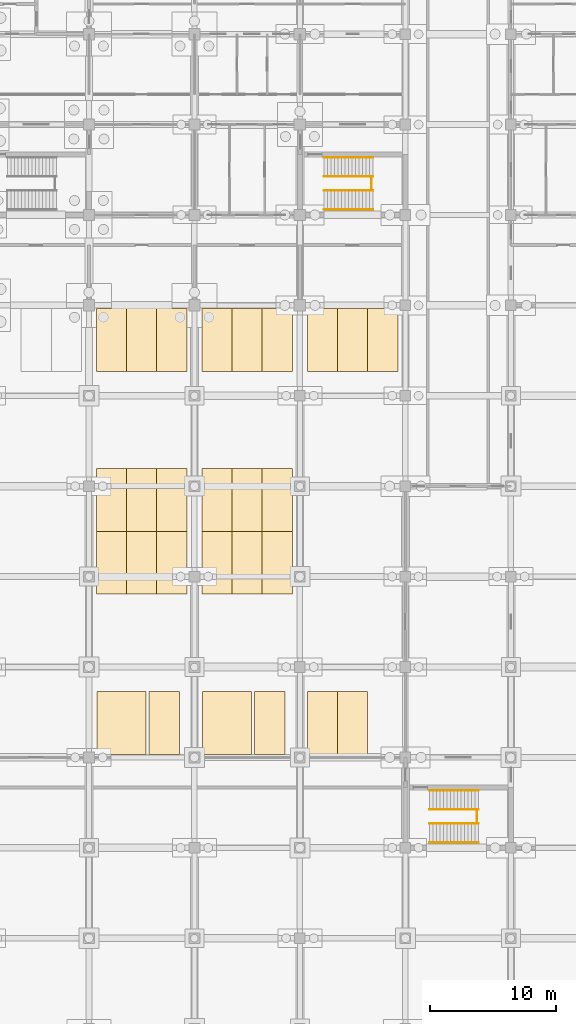
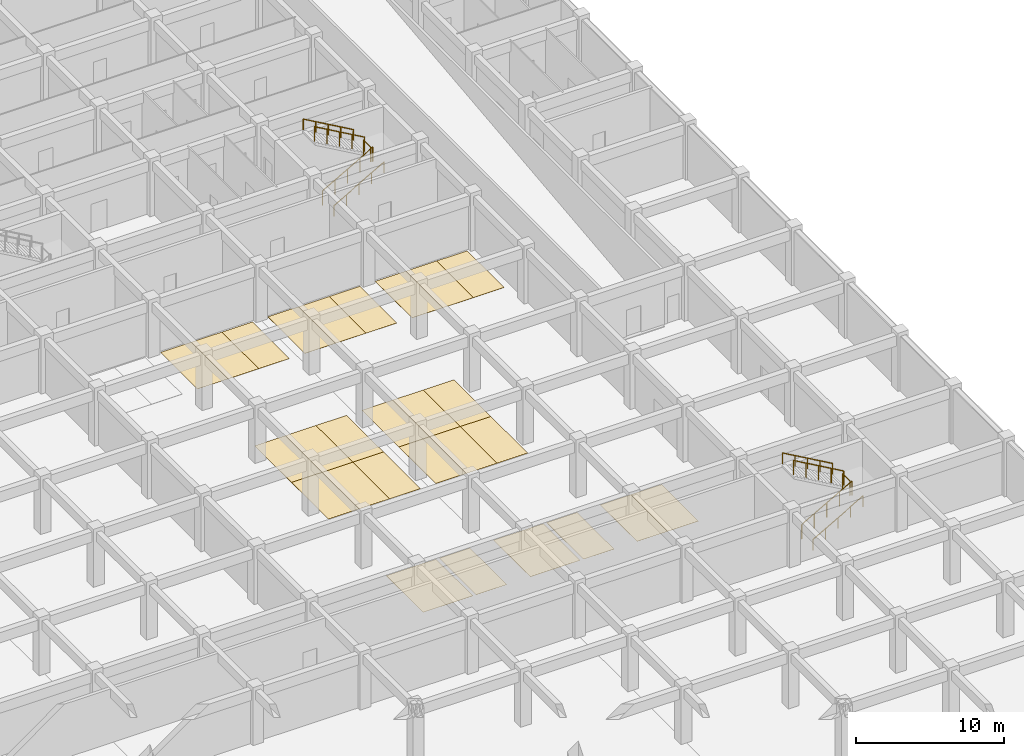
# One storey, part 84 of 85: 27 coverings, 10 railings.
"""IFC4 building model written with IfcOpenShell, lengths in metres."""

from ifc_helpers import new_model, si_unit, direction, frame, origin, origin_2d, place, context, subcontext, project, spatial, polyline, circle, outline, extrude, material, layer, layer_set, type_object, element, save


model = new_model("IFC4")

# Units and contexts
model_context = context("Model", 3, precision=1e-05, world=origin(), true_north=direction((0.0, 1.0)))
body_context = subcontext(model_context, "Body", "Model", "MODEL_VIEW")
ifc_project = project(units=[si_unit("LENGTHUNIT", "METRE"), si_unit("AREAUNIT", "SQUARE_METRE"), si_unit("VOLUMEUNIT", "CUBIC_METRE"), si_unit("PLANEANGLEUNIT", "RADIAN"), si_unit("MASSUNIT", "GRAM", prefix="KILO")], contexts=[model_context])

# Site, building, storey
site_placement = place(None, origin())
site = spatial("IfcSite", under=ifc_project, at=site_placement, CompositionType="ELEMENT")
building_placement = place(site_placement, origin())
building = spatial("IfcBuilding", under=site, at=building_placement, Name="Chengyuan Square Courthouse", CompositionType="ELEMENT")
storey_placement = place(building_placement, frame((0.0, 0.0, -10.199951171875)))
storey = spatial("IfcBuildingStorey", under=building, at=storey_placement, Name="B02", CompositionType="ELEMENT", Elevation=-10.199951171875)

# Coverings
ifc_material_1 = material(Name="Thermoplastic Parking Bay Marking Paint")
ifc_layer_1 = layer(ifc_material_1, 0.010009765625)
ifc_layer_set_1 = layer_set([ifc_layer_1], Name="Thermoplastic Parking Bay Marking Paint")
covering_type_1 = type_object("IfcCoveringType", Name="PKB-01", PredefinedType="FLOORING", material=ifc_layer_set_1)
covering_1_placement = place(storey_placement, origin())
element("IfcCovering", 1, at=covering_1_placement, inside=storey, type_object=covering_type_1, Name="Parking Bay Marking B02-P236", PredefinedType="FLOORING", context=body_context, shape_type="SweptSolid", body=[
    extrude(outline(polyline([(130.800048828125, 43.449951171875), (133.199951171875, 43.449951171875), (133.199951171875, 48.449951171875), (130.800048828125, 48.449951171875), (130.800048828125, 43.449951171875)])), origin(), (0.0, 0.0, 1.0), 0.010009765625),
])
covering_2_placement = place(storey_placement, origin())
element("IfcCovering", 2, at=covering_2_placement, inside=storey, type_object=covering_type_1, Name="Parking Bay Marking B02-P237", PredefinedType="FLOORING", context=body_context, shape_type="SweptSolid", body=[
    extrude(outline(polyline([(139.199951171875, 43.449951171875), (141.60009765625, 43.449951171875), (141.60009765625, 48.449951171875), (139.199951171875, 48.449951171875), (139.199951171875, 43.449951171875)])), origin(), (0.0, 0.0, 1.0), 0.010009765625),
])
covering_3_placement = place(storey_placement, origin())
element("IfcCovering", 3, at=covering_3_placement, inside=storey, type_object=covering_type_1, Name="Parking Bay Marking B02-P238", PredefinedType="FLOORING", context=body_context, shape_type="SweptSolid", body=[
    extrude(outline(polyline([(143.39990234375, 43.449951171875), (145.800048828125, 43.449951171875), (145.800048828125, 48.449951171875), (143.39990234375, 48.449951171875), (143.39990234375, 43.449951171875)])), origin(), (0.0, 0.0, 1.0), 0.010009765625),
])
covering_4_placement = place(storey_placement, origin())
element("IfcCovering", 4, at=covering_4_placement, inside=storey, type_object=covering_type_1, Name="Parking Bay Marking B02-P239", PredefinedType="FLOORING", context=body_context, shape_type="SweptSolid", body=[
    extrude(outline(polyline([(145.800048828125, 43.449951171875), (148.199951171875, 43.449951171875), (148.199951171875, 48.449951171875), (145.800048828125, 48.449951171875), (145.800048828125, 43.449951171875)])), origin(), (0.0, 0.0, 1.0), 0.010009765625),
])
covering_5_placement = place(storey_placement, origin())
element("IfcCovering", 5, at=covering_5_placement, inside=storey, type_object=covering_type_1, Name="Parking Bay Marking B02-P242", PredefinedType="FLOORING", context=body_context, shape_type="SweptSolid", body=[
    extrude(outline(polyline([(126.60009765625, 73.949951171875), (129.0, 73.949951171875), (129.0, 78.949951171875), (126.60009765625, 78.949951171875), (126.60009765625, 73.949951171875)])), origin(), (0.0, 0.0, 1.0), 0.010009765625),
])
covering_6_placement = place(storey_placement, origin())
element("IfcCovering", 6, at=covering_6_placement, inside=storey, type_object=covering_type_1, Name="Parking Bay Marking B02-P243", PredefinedType="FLOORING", context=body_context, shape_type="SweptSolid", body=[
    extrude(outline(polyline([(129.0, 73.949951171875), (131.39990234375, 73.949951171875), (131.39990234375, 78.949951171875), (129.0, 78.949951171875), (129.0, 73.949951171875)])), origin(), (0.0, 0.0, 1.0), 0.010009765625),
])
covering_7_placement = place(storey_placement, origin())
element("IfcCovering", 7, at=covering_7_placement, inside=storey, type_object=covering_type_1, Name="Parking Bay Marking B02-P244", PredefinedType="FLOORING", context=body_context, shape_type="SweptSolid", body=[
    extrude(outline(polyline([(131.39990234375, 73.949951171875), (133.800048828125, 73.949951171875), (133.800048828125, 78.949951171875), (131.39990234375, 78.949951171875), (131.39990234375, 73.949951171875)])), origin(), (0.0, 0.0, 1.0), 0.010009765625),
])
covering_8_placement = place(storey_placement, origin())
element("IfcCovering", 8, at=covering_8_placement, inside=storey, type_object=covering_type_1, Name="Parking Bay Marking B02-P245", PredefinedType="FLOORING", context=body_context, shape_type="SweptSolid", body=[
    extrude(outline(polyline([(135.0, 73.949951171875), (137.39990234375, 73.949951171875), (137.39990234375, 78.949951171875), (135.0, 78.949951171875), (135.0, 73.949951171875)])), origin(), (0.0, 0.0, 1.0), 0.010009765625),
])
covering_9_placement = place(storey_placement, origin())
element("IfcCovering", 9, at=covering_9_placement, inside=storey, type_object=covering_type_1, Name="Parking Bay Marking B02-P246", PredefinedType="FLOORING", context=body_context, shape_type="SweptSolid", body=[
    extrude(outline(polyline([(137.39990234375, 73.949951171875), (139.800048828125, 73.949951171875), (139.800048828125, 78.949951171875), (137.39990234375, 78.949951171875), (137.39990234375, 73.949951171875)])), origin(), (0.0, 0.0, 1.0), 0.010009765625),
])
covering_10_placement = place(storey_placement, origin())
element("IfcCovering", 10, at=covering_10_placement, inside=storey, type_object=covering_type_1, Name="Parking Bay Marking B02-P247", PredefinedType="FLOORING", context=body_context, shape_type="SweptSolid", body=[
    extrude(outline(polyline([(139.800048828125, 73.949951171875), (142.199951171875, 73.949951171875), (142.199951171875, 78.949951171875), (139.800048828125, 78.949951171875), (139.800048828125, 73.949951171875)])), origin(), (0.0, 0.0, 1.0), 0.010009765625),
])
covering_11_placement = place(storey_placement, origin())
element("IfcCovering", 11, at=covering_11_placement, inside=storey, type_object=covering_type_1, Name="Parking Bay Marking B02-P248", PredefinedType="FLOORING", context=body_context, shape_type="SweptSolid", body=[
    extrude(outline(polyline([(143.39990234375, 73.949951171875), (145.800048828125, 73.949951171875), (145.800048828125, 78.949951171875), (143.39990234375, 78.949951171875), (143.39990234375, 73.949951171875)])), origin(), (0.0, 0.0, 1.0), 0.010009765625),
])
covering_12_placement = place(storey_placement, origin())
element("IfcCovering", 12, at=covering_12_placement, inside=storey, type_object=covering_type_1, Name="Parking Bay Marking B02-P249", PredefinedType="FLOORING", context=body_context, shape_type="SweptSolid", body=[
    extrude(outline(polyline([(145.800048828125, 73.949951171875), (148.199951171875, 73.949951171875), (148.199951171875, 78.949951171875), (145.800048828125, 78.949951171875), (145.800048828125, 73.949951171875)])), origin(), (0.0, 0.0, 1.0), 0.010009765625),
])
covering_13_placement = place(storey_placement, origin())
element("IfcCovering", 13, at=covering_13_placement, inside=storey, type_object=covering_type_1, Name="Parking Bay Marking B02-P250", PredefinedType="FLOORING", context=body_context, shape_type="SweptSolid", body=[
    extrude(outline(polyline([(148.199951171875, 73.949951171875), (150.60009765625, 73.949951171875), (150.60009765625, 78.949951171875), (148.199951171875, 78.949951171875), (148.199951171875, 73.949951171875)])), origin(), (0.0, 0.0, 1.0), 0.010009765625),
])
covering_14_placement = place(storey_placement, origin())
element("IfcCovering", 14, at=covering_14_placement, inside=storey, type_object=covering_type_1, Name="Parking Bay Marking B02-P251", PredefinedType="FLOORING", context=body_context, shape_type="SweptSolid", body=[
    extrude(outline(polyline([(126.60009765625, 56.199951171875), (129.0, 56.199951171875), (129.0, 61.199951171875), (126.60009765625, 61.199951171875), (126.60009765625, 56.199951171875)])), origin(), (0.0, 0.0, 1.0), 0.010009765625),
])
covering_15_placement = place(storey_placement, origin())
element("IfcCovering", 15, at=covering_15_placement, inside=storey, type_object=covering_type_1, Name="Parking Bay Marking B02-P252", PredefinedType="FLOORING", context=body_context, shape_type="SweptSolid", body=[
    extrude(outline(polyline([(129.0, 56.199951171875), (131.39990234375, 56.199951171875), (131.39990234375, 61.199951171875), (129.0, 61.199951171875), (129.0, 56.199951171875)])), origin(), (0.0, 0.0, 1.0), 0.010009765625),
])
covering_16_placement = place(storey_placement, origin())
element("IfcCovering", 16, at=covering_16_placement, inside=storey, type_object=covering_type_1, Name="Parking Bay Marking B02-P253", PredefinedType="FLOORING", context=body_context, shape_type="SweptSolid", body=[
    extrude(outline(polyline([(131.39990234375, 56.199951171875), (133.800048828125, 56.199951171875), (133.800048828125, 61.199951171875), (131.39990234375, 61.199951171875), (131.39990234375, 56.199951171875)])), origin(), (0.0, 0.0, 1.0), 0.010009765625),
])
covering_17_placement = place(storey_placement, origin())
element("IfcCovering", 17, at=covering_17_placement, inside=storey, type_object=covering_type_1, Name="Parking Bay Marking B02-P254", PredefinedType="FLOORING", context=body_context, shape_type="SweptSolid", body=[
    extrude(outline(polyline([(135.0, 56.199951171875), (137.39990234375, 56.199951171875), (137.39990234375, 61.199951171875), (135.0, 61.199951171875), (135.0, 56.199951171875)])), origin(), (0.0, 0.0, 1.0), 0.010009765625),
])
covering_18_placement = place(storey_placement, origin())
element("IfcCovering", 18, at=covering_18_placement, inside=storey, type_object=covering_type_1, Name="Parking Bay Marking B02-P255", PredefinedType="FLOORING", context=body_context, shape_type="SweptSolid", body=[
    extrude(outline(polyline([(137.39990234375, 56.199951171875), (139.800048828125, 56.199951171875), (139.800048828125, 61.199951171875), (137.39990234375, 61.199951171875), (137.39990234375, 56.199951171875)])), origin(), (0.0, 0.0, 1.0), 0.010009765625),
])
covering_19_placement = place(storey_placement, origin())
element("IfcCovering", 19, at=covering_19_placement, inside=storey, type_object=covering_type_1, Name="Parking Bay Marking B02-P256", PredefinedType="FLOORING", context=body_context, shape_type="SweptSolid", body=[
    extrude(outline(polyline([(139.800048828125, 56.199951171875), (142.199951171875, 56.199951171875), (142.199951171875, 61.199951171875), (139.800048828125, 61.199951171875), (139.800048828125, 56.199951171875)])), origin(), (0.0, 0.0, 1.0), 0.010009765625),
])
covering_20_placement = place(storey_placement, origin())
element("IfcCovering", 20, at=covering_20_placement, inside=storey, type_object=covering_type_1, Name="Parking Bay Marking B02-P257", PredefinedType="FLOORING", context=body_context, shape_type="SweptSolid", body=[
    extrude(outline(polyline([(126.60009765625, 61.199951171875), (129.0, 61.199951171875), (129.0, 66.199951171875), (126.60009765625, 66.199951171875), (126.60009765625, 61.199951171875)])), origin(), (0.0, 0.0, 1.0), 0.010009765625),
])
covering_21_placement = place(storey_placement, origin())
element("IfcCovering", 21, at=covering_21_placement, inside=storey, type_object=covering_type_1, Name="Parking Bay Marking B02-P258", PredefinedType="FLOORING", context=body_context, shape_type="SweptSolid", body=[
    extrude(outline(polyline([(129.0, 61.199951171875), (131.39990234375, 61.199951171875), (131.39990234375, 66.199951171875), (129.0, 66.199951171875), (129.0, 61.199951171875)])), origin(), (0.0, 0.0, 1.0), 0.010009765625),
])
covering_22_placement = place(storey_placement, origin())
element("IfcCovering", 22, at=covering_22_placement, inside=storey, type_object=covering_type_1, Name="Parking Bay Marking B02-P259", PredefinedType="FLOORING", context=body_context, shape_type="SweptSolid", body=[
    extrude(outline(polyline([(131.39990234375, 61.199951171875), (133.800048828125, 61.199951171875), (133.800048828125, 66.199951171875), (131.39990234375, 66.199951171875), (131.39990234375, 61.199951171875)])), origin(), (0.0, 0.0, 1.0), 0.010009765625),
])
covering_23_placement = place(storey_placement, origin())
element("IfcCovering", 23, at=covering_23_placement, inside=storey, type_object=covering_type_1, Name="Parking Bay Marking B02-P260", PredefinedType="FLOORING", context=body_context, shape_type="SweptSolid", body=[
    extrude(outline(polyline([(135.0, 61.199951171875), (137.39990234375, 61.199951171875), (137.39990234375, 66.199951171875), (135.0, 66.199951171875), (135.0, 61.199951171875)])), origin(), (0.0, 0.0, 1.0), 0.010009765625),
])
covering_24_placement = place(storey_placement, origin())
element("IfcCovering", 24, at=covering_24_placement, inside=storey, type_object=covering_type_1, Name="Parking Bay Marking B02-P261", PredefinedType="FLOORING", context=body_context, shape_type="SweptSolid", body=[
    extrude(outline(polyline([(137.39990234375, 61.199951171875), (139.800048828125, 61.199951171875), (139.800048828125, 66.199951171875), (137.39990234375, 66.199951171875), (137.39990234375, 61.199951171875)])), origin(), (0.0, 0.0, 1.0), 0.010009765625),
])
covering_25_placement = place(storey_placement, origin())
element("IfcCovering", 25, at=covering_25_placement, inside=storey, type_object=covering_type_1, Name="Parking Bay Marking B02-P262", PredefinedType="FLOORING", context=body_context, shape_type="SweptSolid", body=[
    extrude(outline(polyline([(139.800048828125, 61.199951171875), (142.199951171875, 61.199951171875), (142.199951171875, 66.199951171875), (139.800048828125, 66.199951171875), (139.800048828125, 61.199951171875)])), origin(), (0.0, 0.0, 1.0), 0.010009765625),
])
ifc_material_2 = material(Name="Thermoplastic Accessible Parking Bay Marking Paint")
ifc_layer_2 = layer(ifc_material_2, 0.010009765625)
ifc_layer_set_2 = layer_set([ifc_layer_2], Name="Thermoplastic Accessible Parking Bay Marking Paint")
covering_type_2 = type_object("IfcCoveringType", Name="PKB-02", PredefinedType="FLOORING", material=ifc_layer_set_2)
covering_26_placement = place(storey_placement, origin())
element("IfcCovering", 26, at=covering_26_placement, inside=storey, type_object=covering_type_2, Name="Accessible Parking Bay Marking B02-AP15", PredefinedType="FLOORING", context=body_context, shape_type="SweptSolid", body=[
    extrude(outline(polyline([(126.64990234375, 43.449951171875), (130.550048828125, 43.449951171875), (130.550048828125, 48.449951171875), (126.64990234375, 48.449951171875), (126.64990234375, 43.449951171875)])), origin(), (0.0, 0.0, 1.0), 0.010009765625),
])
covering_27_placement = place(storey_placement, origin())
element("IfcCovering", 27, at=covering_27_placement, inside=storey, type_object=covering_type_2, Name="Accessible Parking Bay Marking B02-AP16", PredefinedType="FLOORING", context=body_context, shape_type="SweptSolid", body=[
    extrude(outline(polyline([(135.050048828125, 43.449951171875), (138.949951171875, 43.449951171875), (138.949951171875, 48.449951171875), (135.050048828125, 48.449951171875), (135.050048828125, 43.449951171875)])), origin(), (0.0, 0.0, 1.0), 0.010009765625),
])

# Railings
ifc_material_3 = material(Name="Tempered Glass and Timber Top-Rail Balustrade", Category="wood")
railing_type_1 = type_object("IfcRailingType", Name="RL-02", PredefinedType="BALUSTRADE", material=ifc_material_3)
railing_1_placement = place(storey_placement, frame((156.909912109375, 38.0, 2.39990234375)))
element("IfcRailing", 28, at=railing_1_placement, inside=storey, type_object=railing_type_1, Name="Stair Landing Guard ST-8-B02", PredefinedType="BALUSTRADE", context=body_context, shape_type="SweptSolid", body=[
    extrude(circle(Radius=0.02392578125, at=origin_2d()), frame((0.0, 0.0, 1.17578125), z_axis=(0.0, 1.0, 0.0), x_axis=(-1.0, 0.0, 0.0)), (0.0, 0.0, 1.0), 1.0),
    extrude(circle(Radius=0.02099609375, at=origin_2d()), origin(), (0.0, 0.0, 1.0), 1.15185546875),
    extrude(circle(Radius=0.02099609375, at=origin_2d()), frame((0.0, 1.0, 0.0)), (0.0, 0.0, 1.0), 1.15185546875),
])
railing_2_placement = place(storey_placement, frame((153.110107421875, 37.949951171875, 0.159912109375)))
element("IfcRailing", 29, at=railing_2_placement, inside=storey, type_object=railing_type_1, Name="Stair Flight 1 Guard ST-8-B02", PredefinedType="BALUSTRADE", context=body_context, shape_type="SweptSolid", body=[
    extrude(circle(Radius=0.02392578125, at=origin_2d()), frame((0.0, 0.0, 1.17578125), z_axis=(0.868239814368, 0.0, 0.496144761885), x_axis=(0.0, 1.0, 0.0)), (0.0, 0.0, 1.0), 4.514892578125),
    extrude(circle(Radius=0.02099609375, at=origin_2d()), origin(), (0.0, 0.0, 1.0), 1.15185546875),
    extrude(circle(Radius=0.02099609375, at=origin_2d()), frame((0.97998046875, 0.0, 0.56005859375)), (0.0, 0.0, 1.0), 1.15185546875),
    extrude(circle(Radius=0.02099609375, at=origin_2d()), frame((1.9599609375, 0.0, 1.1201171875)), (0.0, 0.0, 1.0), 1.15185546875),
    extrude(circle(Radius=0.02099609375, at=origin_2d()), frame((2.93994140625, 0.0, 1.679931640625)), (0.0, 0.0, 1.0), 1.15185546875),
    extrude(circle(Radius=0.02099609375, at=origin_2d()), frame((3.919921875, 0.0, 2.239990234375)), (0.0, 0.0, 1.0), 1.15185546875),
])
railing_3_placement = place(storey_placement, frame((157.030029296875, 39.050048828125, 2.56005859375)))
element("IfcRailing", 30, at=railing_3_placement, inside=storey, type_object=railing_type_1, Name="Stair Flight 2 Guard ST-8-B02", PredefinedType="BALUSTRADE", context=body_context, shape_type="SweptSolid", body=[
    extrude(circle(Radius=0.02392578125, at=origin_2d()), frame((0.0, 0.0, 1.17578125), z_axis=(-0.868239814368, 0.0, 0.496144761885), x_axis=(0.0, -1.0, 0.0)), (0.0, 0.0, 1.0), 4.514892578125),
    extrude(circle(Radius=0.02099609375, at=origin_2d()), origin(), (0.0, 0.0, 1.0), 1.15185546875),
    extrude(circle(Radius=0.02099609375, at=origin_2d()), frame((-0.97998046875, 0.0, 0.56005859375)), (0.0, 0.0, 1.0), 1.15185546875),
    extrude(circle(Radius=0.02099609375, at=origin_2d()), frame((-1.9599609375, 0.0, 1.1201171875)), (0.0, 0.0, 1.0), 1.15185546875),
    extrude(circle(Radius=0.02099609375, at=origin_2d()), frame((-2.93994140625, 0.0, 1.679931640625)), (0.0, 0.0, 1.0), 1.15185546875),
    extrude(circle(Radius=0.02099609375, at=origin_2d()), frame((-3.919921875, 0.0, 2.239990234375)), (0.0, 0.0, 1.0), 1.15185546875),
])
railing_4_placement = place(storey_placement, frame((148.510009765625, 88.39990234375, 2.39990234375)))
element("IfcRailing", 31, at=railing_4_placement, inside=storey, type_object=railing_type_1, Name="Stair Landing Guard ST-10-B02", PredefinedType="BALUSTRADE", context=body_context, shape_type="SweptSolid", body=[
    extrude(circle(Radius=0.02392578125, at=origin_2d()), frame((0.0, 0.0, 1.17578125), z_axis=(0.0, 1.0, 0.0), x_axis=(-1.0, 0.0, 0.0)), (0.0, 0.0, 1.0), 1.0),
    extrude(circle(Radius=0.02099609375, at=origin_2d()), origin(), (0.0, 0.0, 1.0), 1.15185546875),
    extrude(circle(Radius=0.02099609375, at=origin_2d()), frame((0.0, 1.0, 0.0)), (0.0, 0.0, 1.0), 1.15185546875),
])
railing_5_placement = place(storey_placement, frame((144.7099609375, 88.35009765625, 0.159912109375)))
element("IfcRailing", 32, at=railing_5_placement, inside=storey, type_object=railing_type_1, Name="Stair Flight 1 Guard ST-10-B02", PredefinedType="BALUSTRADE", context=body_context, shape_type="SweptSolid", body=[
    extrude(circle(Radius=0.02392578125, at=origin_2d()), frame((0.0, 0.0, 1.17578125), z_axis=(0.868239814368, 0.0, 0.496144761885), x_axis=(0.0, 1.0, 0.0)), (0.0, 0.0, 1.0), 4.514892578125),
    extrude(circle(Radius=0.02099609375, at=origin_2d()), origin(), (0.0, 0.0, 1.0), 1.15185546875),
    extrude(circle(Radius=0.02099609375, at=origin_2d()), frame((0.97998046875, 0.0, 0.56005859375)), (0.0, 0.0, 1.0), 1.15185546875),
    extrude(circle(Radius=0.02099609375, at=origin_2d()), frame((1.9599609375, 0.0, 1.1201171875)), (0.0, 0.0, 1.0), 1.15185546875),
    extrude(circle(Radius=0.02099609375, at=origin_2d()), frame((2.93994140625, 0.0, 1.679931640625)), (0.0, 0.0, 1.0), 1.15185546875),
    extrude(circle(Radius=0.02099609375, at=origin_2d()), frame((3.919921875, 0.0, 2.239990234375)), (0.0, 0.0, 1.0), 1.15185546875),
])
railing_6_placement = place(storey_placement, frame((148.6298828125, 89.449951171875, 2.56005859375)))
element("IfcRailing", 33, at=railing_6_placement, inside=storey, type_object=railing_type_1, Name="Stair Flight 2 Guard ST-10-B02", PredefinedType="BALUSTRADE", context=body_context, shape_type="SweptSolid", body=[
    extrude(circle(Radius=0.02392578125, at=origin_2d()), frame((0.0, 0.0, 1.17578125), z_axis=(-0.868239814368, 0.0, 0.496144761885), x_axis=(0.0, -1.0, 0.0)), (0.0, 0.0, 1.0), 4.514892578125),
    extrude(circle(Radius=0.02099609375, at=origin_2d()), origin(), (0.0, 0.0, 1.0), 1.15185546875),
    extrude(circle(Radius=0.02099609375, at=origin_2d()), frame((-0.97998046875, 0.0, 0.56005859375)), (0.0, 0.0, 1.0), 1.15185546875),
    extrude(circle(Radius=0.02099609375, at=origin_2d()), frame((-1.9599609375, 0.0, 1.1201171875)), (0.0, 0.0, 1.0), 1.15185546875),
    extrude(circle(Radius=0.02099609375, at=origin_2d()), frame((-2.93994140625, 0.0, 1.679931640625)), (0.0, 0.0, 1.0), 1.15185546875),
    extrude(circle(Radius=0.02099609375, at=origin_2d()), frame((-3.919921875, 0.0, 2.239990234375)), (0.0, 0.0, 1.0), 1.15185546875),
])
ifc_material_4 = material(Name="Stainless Steel S30408 Stair Handrail", Category="steel")
railing_type_2 = type_object("IfcRailingType", Name="RL-04", PredefinedType="HANDRAIL", material=ifc_material_4)
railing_7_placement = place(storey_placement, frame((153.110107421875, 36.419921875, 0.159912109375)))
element("IfcRailing", 34, at=railing_7_placement, inside=storey, type_object=railing_type_2, Name="Stair Flight 1 Handrail ST-8-B02", PredefinedType="HANDRAIL", context=body_context, shape_type="SweptSolid", body=[
    extrude(circle(Radius=0.02392578125, at=origin_2d()), frame((0.0, 0.0, 0.8759765625), z_axis=(0.868239814368, 0.0, 0.496144761885), x_axis=(0.0, 1.0, 0.0)), (0.0, 0.0, 1.0), 4.514892578125),
    extrude(circle(Radius=0.02099609375, at=origin_2d()), origin(), (0.0, 0.0, 1.0), 0.851806640625),
    extrude(circle(Radius=0.02099609375, at=origin_2d()), frame((0.97998046875, 0.0, 0.56005859375)), (0.0, 0.0, 1.0), 0.851806640625),
    extrude(circle(Radius=0.02099609375, at=origin_2d()), frame((1.9599609375, 0.0, 1.1201171875)), (0.0, 0.0, 1.0), 0.851806640625),
    extrude(circle(Radius=0.02099609375, at=origin_2d()), frame((2.93994140625, 0.0, 1.679931640625)), (0.0, 0.0, 1.0), 0.851806640625),
    extrude(circle(Radius=0.02099609375, at=origin_2d()), frame((3.919921875, 0.0, 2.239990234375)), (0.0, 0.0, 1.0), 0.851806640625),
])
railing_8_placement = place(storey_placement, frame((157.030029296875, 40.580078125, 2.56005859375)))
element("IfcRailing", 35, at=railing_8_placement, inside=storey, type_object=railing_type_2, Name="Stair Flight 2 Handrail ST-8-B02", PredefinedType="HANDRAIL", context=body_context, shape_type="SweptSolid", body=[
    extrude(circle(Radius=0.02392578125, at=origin_2d()), frame((0.0, 0.0, 0.8759765625), z_axis=(-0.868239814368, 0.0, 0.496144761885), x_axis=(0.0, -1.0, 0.0)), (0.0, 0.0, 1.0), 4.514892578125),
    extrude(circle(Radius=0.02099609375, at=origin_2d()), origin(), (0.0, 0.0, 1.0), 0.851806640625),
    extrude(circle(Radius=0.02099609375, at=origin_2d()), frame((-0.97998046875, 0.0, 0.56005859375)), (0.0, 0.0, 1.0), 0.851806640625),
    extrude(circle(Radius=0.02099609375, at=origin_2d()), frame((-1.9599609375, 0.0, 1.1201171875)), (0.0, 0.0, 1.0), 0.851806640625),
    extrude(circle(Radius=0.02099609375, at=origin_2d()), frame((-2.93994140625, 0.0, 1.679931640625)), (0.0, 0.0, 1.0), 0.851806640625),
    extrude(circle(Radius=0.02099609375, at=origin_2d()), frame((-3.919921875, 0.0, 2.239990234375)), (0.0, 0.0, 1.0), 0.851806640625),
])
railing_9_placement = place(storey_placement, frame((144.7099609375, 86.820068359375, 0.159912109375)))
element("IfcRailing", 36, at=railing_9_placement, inside=storey, type_object=railing_type_2, Name="Stair Flight 1 Handrail ST-10-B02", PredefinedType="HANDRAIL", context=body_context, shape_type="SweptSolid", body=[
    extrude(circle(Radius=0.02392578125, at=origin_2d()), frame((0.0, 0.0, 0.8759765625), z_axis=(0.868239814368, 0.0, 0.496144761885), x_axis=(0.0, 1.0, 0.0)), (0.0, 0.0, 1.0), 4.514892578125),
    extrude(circle(Radius=0.02099609375, at=origin_2d()), origin(), (0.0, 0.0, 1.0), 0.851806640625),
    extrude(circle(Radius=0.02099609375, at=origin_2d()), frame((0.97998046875, 0.0, 0.56005859375)), (0.0, 0.0, 1.0), 0.851806640625),
    extrude(circle(Radius=0.02099609375, at=origin_2d()), frame((1.9599609375, 0.0, 1.1201171875)), (0.0, 0.0, 1.0), 0.851806640625),
    extrude(circle(Radius=0.02099609375, at=origin_2d()), frame((2.93994140625, 0.0, 1.679931640625)), (0.0, 0.0, 1.0), 0.851806640625),
    extrude(circle(Radius=0.02099609375, at=origin_2d()), frame((3.919921875, 0.0, 2.239990234375)), (0.0, 0.0, 1.0), 0.851806640625),
])
railing_10_placement = place(storey_placement, frame((148.6298828125, 90.97998046875, 2.56005859375)))
element("IfcRailing", 37, at=railing_10_placement, inside=storey, type_object=railing_type_2, Name="Stair Flight 2 Handrail ST-10-B02", PredefinedType="HANDRAIL", context=body_context, shape_type="SweptSolid", body=[
    extrude(circle(Radius=0.02392578125, at=origin_2d()), frame((0.0, 0.0, 0.8759765625), z_axis=(-0.868239814368, 0.0, 0.496144761885), x_axis=(0.0, -1.0, 0.0)), (0.0, 0.0, 1.0), 4.514892578125),
    extrude(circle(Radius=0.02099609375, at=origin_2d()), origin(), (0.0, 0.0, 1.0), 0.851806640625),
    extrude(circle(Radius=0.02099609375, at=origin_2d()), frame((-0.97998046875, 0.0, 0.56005859375)), (0.0, 0.0, 1.0), 0.851806640625),
    extrude(circle(Radius=0.02099609375, at=origin_2d()), frame((-1.9599609375, 0.0, 1.1201171875)), (0.0, 0.0, 1.0), 0.851806640625),
    extrude(circle(Radius=0.02099609375, at=origin_2d()), frame((-2.93994140625, 0.0, 1.679931640625)), (0.0, 0.0, 1.0), 0.851806640625),
    extrude(circle(Radius=0.02099609375, at=origin_2d()), frame((-3.919921875, 0.0, 2.239990234375)), (0.0, 0.0, 1.0), 0.851806640625),
])

save(model, "model.ifc")
